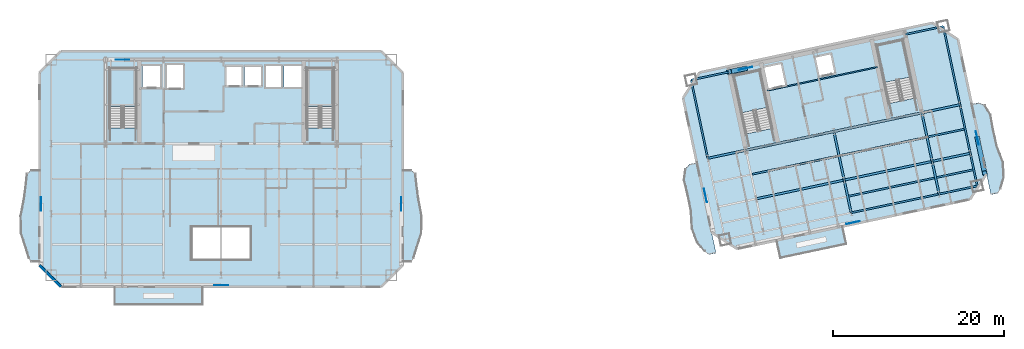
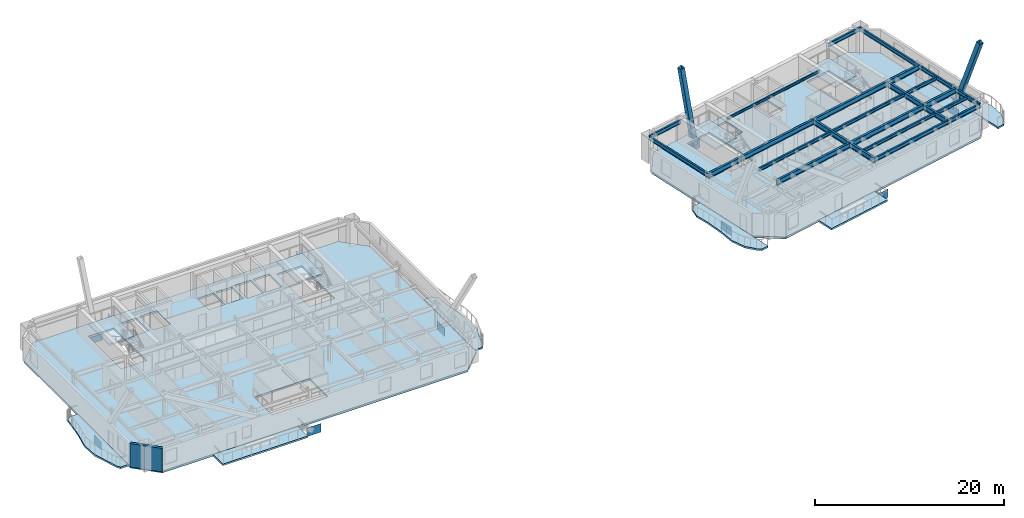
# One storey, part 4 of 13: 25 beams, 12 slabs, 8 plates, 2 members, 1 wall, 4 elements without a shape of their own.
"""IFC4 building model written with IfcOpenShell, lengths in metres."""

from ifc_helpers import new_model, si_unit, direction, frame, frame_2d, origin, origin_2d, place, context, subcontext, project, spatial, polyline, rectangle, hollow_rectangle, i_section, outline, extrude, material, layer, layer_set, material_profile, profile_set, type_object, element, aggregate, save


model = new_model("IFC4")

# Units and contexts
model_context = context("Model", 3, precision=1e-05, world=origin(), true_north=direction((0.0, 1.0)))
body_context = subcontext(model_context, "Body", "Model", "MODEL_VIEW")
ifc_project = project(units=[si_unit("LENGTHUNIT", "METRE"), si_unit("AREAUNIT", "SQUARE_METRE"), si_unit("VOLUMEUNIT", "CUBIC_METRE"), si_unit("PLANEANGLEUNIT", "RADIAN"), si_unit("MASSUNIT", "GRAM", prefix="KILO")], contexts=[model_context])

# Site, building, storey
site_placement = place(None, origin())
site = spatial("IfcSite", under=ifc_project, at=site_placement, CompositionType="ELEMENT")
building_placement = place(site_placement, origin())
building = spatial("IfcBuilding", under=site, at=building_placement, Name="Haevon Station Towers", CompositionType="ELEMENT")
storey_placement = place(building_placement, frame((0.0, 0.0, 146.10009765625)))
storey = spatial("IfcBuildingStorey", under=building, at=storey_placement, Name="L39", CompositionType="ELEMENT", Elevation=146.10009765625)

# Beams
ifc_material_1 = material(Name="Steel S355", Category="steel")
ifc_material_profile_1 = material_profile(ifc_material_1, i_section(OverallWidth=0.25, OverallDepth=0.64990234375, WebThickness=0.012939453125, FlangeThickness=0.02197265625, at=origin_2d()), Name="H-650x250x13x22")
ifc_profile_set_1 = profile_set([ifc_material_profile_1], Name="Steel S355")
beam_type_1 = type_object("IfcBeamType", Name="BM-G650", PredefinedType="BEAM", material=ifc_profile_set_1)
for number, where, z_axis, x_axis, name in (
    (1, (99.958251953125, 31.76904296875, 2.724853515625), (0.978146794194, 0.207915485254, 0.0), (-0.207915485254, 0.978146794194, 0.0), "BM-T2U-L39-02-02"),
    (2, (110.228759765625, 33.9521484375, 2.724853515625), (0.978146794194, 0.207915485254, 0.0), (-0.207915485254, 0.978146794194, 0.0), "BM-T2U-L39-02-03"),
):
    element("IfcBeam", number, at=place(storey_placement, frame(where, z_axis=z_axis, x_axis=x_axis)), inside=storey, type_object=beam_type_1, Name=name, PredefinedType="BEAM", context=body_context, shape_type="SweptSolid", body=[
        extrude(i_section(OverallWidth=0.25, OverallDepth=0.64990234375, WebThickness=0.012939453125, FlangeThickness=0.02197265625, at=origin_2d()), origin(), (0.0, 0.0, 1.0), 10.5),
    ])
for number, where, z_axis, x_axis, name in (
    (3, (120.499267578125, 36.13525390625, 2.724853515625), (0.978146576304, 0.207916510322, 0.0), (-0.207916510322, 0.978146576304, 0.0), "BM-T2U-L39-02-04"),
    (4, (94.3017578125, 36.496337890625, 2.724853515625), (0.978146576304, 0.207916510322, 0.0), (-0.207916510322, 0.978146576304, 0.0), "BM-T2U-L39-03-01"),
):
    element("IfcBeam", number, at=place(storey_placement, frame(where, z_axis=z_axis, x_axis=x_axis)), inside=storey, type_object=beam_type_1, Name=name, PredefinedType="BEAM", context=body_context, shape_type="SweptSolid", body=[
        extrude(i_section(OverallWidth=0.25, OverallDepth=0.64990234375, WebThickness=0.012939453125, FlangeThickness=0.02197265625, at=origin_2d()), origin(), (0.0, 0.0, 1.0), 4.550048828125),
    ])
for number, where, z_axis, x_axis, name in (
    (5, (98.75244140625, 37.4423828125, 2.724853515625), (0.978146794194, 0.207915485254, 0.0), (-0.207915485254, 0.978146794194, 0.0), "BM-T2U-L39-03-02"),
    (6, (109.02294921875, 39.62548828125, 2.724853515625), (0.978146794194, 0.207915485254, 0.0), (-0.207915485254, 0.978146794194, 0.0), "BM-T2U-L39-03-03"),
):
    element("IfcBeam", number, at=place(storey_placement, frame(where, z_axis=z_axis, x_axis=x_axis)), inside=storey, type_object=beam_type_1, Name=name, PredefinedType="BEAM", context=body_context, shape_type="SweptSolid", body=[
        extrude(i_section(OverallWidth=0.25, OverallDepth=0.64990234375, WebThickness=0.012939453125, FlangeThickness=0.02197265625, at=origin_2d()), origin(), (0.0, 0.0, 1.0), 10.5),
    ])
beam_1_placement = place(storey_placement, frame((119.29345703125, 41.80859375, 2.724853515625), z_axis=(0.978146576304, 0.207916510322, 0.0), x_axis=(-0.207916510322, 0.978146576304, 0.0)))
element("IfcBeam", 7, at=beam_1_placement, inside=storey, type_object=beam_type_1, Name="BM-T2U-L39-03-04", PredefinedType="BEAM", context=body_context, shape_type="SweptSolid", body=[
    extrude(i_section(OverallWidth=0.25, OverallDepth=0.64990234375, WebThickness=0.012939453125, FlangeThickness=0.02197265625, at=origin_2d()), origin(), (0.0, 0.0, 1.0), 4.550048828125),
])
beam_2_placement = place(storey_placement, frame((111.03955078125, 30.137451171875, 2.724853515625), z_axis=(-0.207899934746, 0.97815009949, 0.0), x_axis=(-0.97815009949, -0.207899934746, 0.0)))
element("IfcBeam", 8, at=beam_2_placement, inside=storey, type_object=beam_type_1, Name="BM-T2V-L39-03-01", PredefinedType="BEAM", context=body_context, shape_type="SweptSolid", body=[
    extrude(i_section(OverallWidth=0.25, OverallDepth=0.64990234375, WebThickness=0.012939453125, FlangeThickness=0.02197265625, at=origin_2d()), origin(), (0.0, 0.0, 1.0), 3.89990234375),
])
beam_3_placement = place(storey_placement, frame((110.228759765625, 33.9521484375, 2.724853515625), z_axis=(-0.207896009217, 0.97815093383, 0.0), x_axis=(-0.97815093383, -0.207896009217, 0.0)))
element("IfcBeam", 9, at=beam_3_placement, inside=storey, type_object=beam_type_1, Name="BM-T2V-L39-03-02", PredefinedType="BEAM", context=body_context, shape_type="SweptSolid", body=[
    extrude(i_section(OverallWidth=0.25, OverallDepth=0.64990234375, WebThickness=0.012939453125, FlangeThickness=0.02197265625, at=origin_2d()), origin(), (0.0, 0.0, 1.0), 5.800048828125),
])
beam_4_placement = place(storey_placement, frame((121.310302734375, 32.320556640625, 2.724853515625), z_axis=(-0.207959829392, 0.978137367326, 0.0), x_axis=(-0.978137367326, -0.207959829392, 0.0)))
element("IfcBeam", 10, at=beam_4_placement, inside=storey, type_object=beam_type_1, Name="BM-T2V-L39-04-01", PredefinedType="BEAM", context=body_context, shape_type="SweptSolid", body=[
    extrude(i_section(OverallWidth=0.25, OverallDepth=0.64990234375, WebThickness=0.012939453125, FlangeThickness=0.02197265625, at=origin_2d()), origin(), (0.0, 0.0, 1.0), 3.89990234375),
])
beam_5_placement = place(storey_placement, frame((120.499267578125, 36.13525390625, 2.724853515625), z_axis=(-0.207896009217, 0.97815093383, 0.0), x_axis=(-0.97815093383, -0.207896009217, 0.0)))
element("IfcBeam", 11, at=beam_5_placement, inside=storey, type_object=beam_type_1, Name="BM-T2V-L39-04-02", PredefinedType="BEAM", context=body_context, shape_type="SweptSolid", body=[
    extrude(i_section(OverallWidth=0.25, OverallDepth=0.64990234375, WebThickness=0.012939453125, FlangeThickness=0.02197265625, at=origin_2d()), origin(), (0.0, 0.0, 1.0), 5.800048828125),
])
ifc_material_profile_2 = material_profile(ifc_material_1, i_section(OverallWidth=0.199951171875, OverallDepth=0.39990234375, WebThickness=0.008056640625, FlangeThickness=0.012939453125, at=origin_2d()), Name="H-400x200x8x13")
ifc_profile_set_2 = profile_set([ifc_material_profile_2], Name="Steel S355")
beam_type_2 = type_object("IfcBeamType", Name="BM-J400", PredefinedType="JOIST", material=ifc_profile_set_2)
beam_6_placement = place(storey_placement, frame((110.74169921875, 32.067626953125, 2.849853515625), z_axis=(0.978145509903, 0.207921527161, 0.0), x_axis=(-0.207921527161, 0.978145509903, 0.0)))
element("IfcBeam", 12, at=beam_6_placement, inside=storey, type_object=beam_type_2, Name="BM-T2J-L39-01-03", PredefinedType="JOIST", context=body_context, shape_type="SweptSolid", body=[
    extrude(i_section(OverallWidth=0.199951171875, OverallDepth=0.39990234375, WebThickness=0.008056640625, FlangeThickness=0.012939453125, at=origin_2d()), origin(), (0.0, 0.0, 1.0), 10.280029296875),
])
beam_7_placement = place(storey_placement, frame((121.012451171875, 34.250732421875, 2.849853515625), z_axis=(0.978141078405, 0.207942373597, 0.0), x_axis=(-0.207942373597, 0.978141078405, 0.0)))
element("IfcBeam", 13, at=beam_7_placement, inside=storey, type_object=beam_type_2, Name="BM-T2J-L39-01-04", PredefinedType="JOIST", context=body_context, shape_type="SweptSolid", body=[
    extrude(i_section(OverallWidth=0.199951171875, OverallDepth=0.39990234375, WebThickness=0.008056640625, FlangeThickness=0.012939453125, at=origin_2d()), origin(), (0.0, 0.0, 1.0), 4.330078125),
])
for number, where, z_axis, x_axis, name in (
    (14, (99.462890625, 34.628662109375, 2.849853515625), (0.978150339653, 0.207898804801, 0.0), (-0.207898804801, 0.978150339653, 0.0), "BM-T2J-L39-02-02"),
    (15, (109.7333984375, 36.811767578125, 2.849853515625), (0.978150339653, 0.207898804801, 0.0), (-0.207898804801, 0.978150339653, 0.0), "BM-T2J-L39-02-03"),
):
    element("IfcBeam", number, at=place(storey_placement, frame(where, z_axis=z_axis, x_axis=x_axis)), inside=storey, type_object=beam_type_2, Name=name, PredefinedType="JOIST", context=body_context, shape_type="SweptSolid", body=[
        extrude(i_section(OverallWidth=0.199951171875, OverallDepth=0.39990234375, WebThickness=0.008056640625, FlangeThickness=0.012939453125, at=origin_2d()), origin(), (0.0, 0.0, 1.0), 10.280029296875),
    ])
beam_8_placement = place(storey_placement, frame((120.00390625, 38.994873046875, 2.849853515625), z_axis=(0.978152545287, 0.207888427166, 0.0), x_axis=(-0.207888427166, 0.978152545287, 0.0)))
element("IfcBeam", 16, at=beam_8_placement, inside=storey, type_object=beam_type_2, Name="BM-T2J-L39-02-04", PredefinedType="JOIST", context=body_context, shape_type="SweptSolid", body=[
    extrude(i_section(OverallWidth=0.199951171875, OverallDepth=0.39990234375, WebThickness=0.008056640625, FlangeThickness=0.012939453125, at=origin_2d()), origin(), (0.0, 0.0, 1.0), 4.329833984375),
])
ifc_material_profile_3 = material_profile(ifc_material_1, i_section(OverallWidth=0.14990234375, OverallDepth=0.300048828125, WebThickness=0.006591796875, FlangeThickness=0.009033203125, at=origin_2d()), Name="H-300x150x6.5x9")
ifc_profile_set_3 = profile_set([ifc_material_profile_3], Name="Steel S355")
beam_type_3 = type_object("IfcBeamType", Name="BM-LIN300", PredefinedType="LINTEL", material=ifc_profile_set_3)
beam_9_placement = place(storey_placement, frame((101.20849609375, 44.4052734375, 2.89990234375), z_axis=(0.978147802964, 0.207910739399, 0.0), x_axis=(-0.207910739399, 0.978147802964, 0.0)))
element("IfcBeam", 17, at=beam_9_placement, inside=storey, type_object=beam_type_3, Name="BM-T2LIN-L39", PredefinedType="LINTEL", context=body_context, shape_type="SweptSolid", body=[
    extrude(i_section(OverallWidth=0.14990234375, OverallDepth=0.300048828125, WebThickness=0.006591796875, FlangeThickness=0.009033203125, at=origin_2d()), origin(), (0.0, 0.0, 1.0), 13.19970703125),
])
ifc_material_profile_4 = material_profile(ifc_material_1, i_section(OverallWidth=0.199951171875, OverallDepth=0.5, WebThickness=0.010009765625, FlangeThickness=0.01611328125, at=origin_2d()), Name="H-500x200x10x16")
ifc_profile_set_4 = profile_set([ifc_material_profile_4], Name="Steel S355")
beam_type_4 = type_object("IfcBeamType", Name="BM-SP500", PredefinedType="SPANDREL", material=ifc_profile_set_4)
beam_10_placement = place(storey_placement, frame((111.03955078125, 30.137451171875, 2.7998046875), z_axis=(0.978147799298, 0.207910756646, 0.0), x_axis=(-0.207910756646, 0.978147799298, 0.0)))
element("IfcBeam", 18, at=beam_10_placement, inside=storey, type_object=beam_type_4, Name="BM-T2U-L39-01-03", PredefinedType="SPANDREL", context=body_context, shape_type="SweptSolid", body=[
    extrude(i_section(OverallWidth=0.199951171875, OverallDepth=0.5, WebThickness=0.010009765625, FlangeThickness=0.01611328125, at=origin_2d()), origin(), (0.0, 0.0, 1.0), 10.500244140625),
])
for number, where, z_axis, x_axis, name in (
    (19, (121.310302734375, 32.320556640625, 2.7998046875), (0.978144256617, 0.207927423029, 0.0), (-0.207927423029, 0.978144256617, 0.0), "BM-T2U-L39-01-04"),
    (20, (92.35791015625, 45.64208984375, 2.7998046875), (0.978144256617, 0.207927423029, 0.0), (-0.207927423029, 0.978144256617, 0.0), "BM-T2U-L39-04-01"),
):
    element("IfcBeam", number, at=place(storey_placement, frame(where, z_axis=z_axis, x_axis=x_axis)), inside=storey, type_object=beam_type_4, Name=name, PredefinedType="SPANDREL", context=body_context, shape_type="SweptSolid", body=[
        extrude(i_section(OverallWidth=0.199951171875, OverallDepth=0.5, WebThickness=0.010009765625, FlangeThickness=0.01611328125, at=origin_2d()), origin(), (0.0, 0.0, 1.0), 4.5498046875),
    ])
beam_11_placement = place(storey_placement, frame((117.349365234375, 50.954345703125, 2.7998046875), z_axis=(0.978157487225, 0.207865173094, 0.0), x_axis=(-0.207865173094, 0.978157487225, 0.0)))
element("IfcBeam", 21, at=beam_11_placement, inside=storey, type_object=beam_type_4, Name="BM-T2U-L39-04-04", PredefinedType="SPANDREL", context=body_context, shape_type="SweptSolid", body=[
    extrude(i_section(OverallWidth=0.199951171875, OverallDepth=0.5, WebThickness=0.010009765625, FlangeThickness=0.01611328125, at=origin_2d()), origin(), (0.0, 0.0, 1.0), 4.550048828125),
])
beam_12_placement = place(storey_placement, frame((94.3017578125, 36.496337890625, 2.7998046875), z_axis=(-0.207897167074, 0.978150687738, 0.0), x_axis=(-0.978150687738, -0.207897167074, 0.0)))
element("IfcBeam", 22, at=beam_12_placement, inside=storey, type_object=beam_type_4, Name="BM-T2V-L39-01-03", PredefinedType="SPANDREL", context=body_context, shape_type="SweptSolid", body=[
    extrude(i_section(OverallWidth=0.199951171875, OverallDepth=0.5, WebThickness=0.010009765625, FlangeThickness=0.01611328125, at=origin_2d()), origin(), (0.0, 0.0, 1.0), 9.35009765625),
])
beam_13_placement = place(storey_placement, frame((125.7607421875, 33.2666015625, 2.7998046875), z_axis=(-0.207899934746, 0.97815009949, 0.0), x_axis=(-0.97815009949, -0.207899934746, 0.0)))
element("IfcBeam", 23, at=beam_13_placement, inside=storey, type_object=beam_type_4, Name="BM-T2V-L39-05-01", PredefinedType="SPANDREL", context=body_context, shape_type="SweptSolid", body=[
    extrude(i_section(OverallWidth=0.199951171875, OverallDepth=0.5, WebThickness=0.010009765625, FlangeThickness=0.01611328125, at=origin_2d()), origin(), (0.0, 0.0, 1.0), 3.89990234375),
])
beam_14_placement = place(storey_placement, frame((124.949951171875, 37.081298828125, 2.7998046875), z_axis=(-0.207896009217, 0.97815093383, 0.0), x_axis=(-0.97815093383, -0.207896009217, 0.0)))
element("IfcBeam", 24, at=beam_14_placement, inside=storey, type_object=beam_type_4, Name="BM-T2V-L39-05-02", PredefinedType="SPANDREL", context=body_context, shape_type="SweptSolid", body=[
    extrude(i_section(OverallWidth=0.199951171875, OverallDepth=0.5, WebThickness=0.010009765625, FlangeThickness=0.01611328125, at=origin_2d()), origin(), (0.0, 0.0, 1.0), 5.800048828125),
])
beam_15_placement = place(storey_placement, frame((123.744140625, 42.754638671875, 2.7998046875), z_axis=(-0.207927460032, 0.978144248751, 0.0), x_axis=(-0.978144248751, -0.207927460032, 0.0)))
element("IfcBeam", 25, at=beam_15_placement, inside=storey, type_object=beam_type_4, Name="BM-T2V-L39-05-03", PredefinedType="SPANDREL", context=body_context, shape_type="SweptSolid", body=[
    extrude(i_section(OverallWidth=0.199951171875, OverallDepth=0.5, WebThickness=0.010009765625, FlangeThickness=0.01611328125, at=origin_2d()), origin(), (0.0, 0.0, 1.0), 9.349853515625),
])

# Members
ifc_material_2 = material(Name="Steel S460", Category="steel")
ifc_material_profile_5 = material_profile(ifc_material_2, hollow_rectangle(XDim=0.550048828125, YDim=0.550048828125, WallThickness=0.028076171875, at=origin_2d()), Name="RHS-550x550x28")
ifc_profile_set_5 = profile_set([ifc_material_profile_5], Name="Steel S460")
member_type = type_object("IfcMemberType", Name="MB-550", PredefinedType="BRACE", material=ifc_profile_set_5)
member_1_placement = place(storey_placement, frame((98.643310546875, 46.97802734375, -1.05224609375), z_axis=(-0.167363529793, -0.035561409936, 0.98525369069), x_axis=(0.207840077608, -0.978162819852, 0.0)))
element("IfcMember", 26, at=member_1_placement, inside=storey, type_object=member_type, Name="BR-T2MB-T05-N-D2B", PredefinedType="BRACE", context=body_context, shape_type="SweptSolid", body=[
    extrude(hollow_rectangle(XDim=0.550048828125, YDim=0.550048828125, WallThickness=0.028076171875, at=origin_2d()), origin(), (0.0, 0.0, 1.0), 10.9638671875),
])
member_2_placement = place(storey_placement, frame((125.78271484375, 38.7900390625, -1.066650390625), z_axis=(0.073682976964, -0.346569602334, 0.935125836261), x_axis=(0.978137650385, 0.20795849802, 0.0)))
element("IfcMember", 27, at=member_2_placement, inside=storey, type_object=member_type, Name="BR-T2MB-T05-E-D2B", PredefinedType="BRACE", context=body_context, shape_type="SweptSolid", body=[
    extrude(hollow_rectangle(XDim=0.550048828125, YDim=0.550048828125, WallThickness=0.028076171875, at=origin_2d()), origin(), (0.0, 0.0, 1.0), 11.567138671875),
])

# Plates
ifc_material_3 = material(Name="PL-GUS1", Category="steel")
ifc_layer_1 = layer(ifc_material_3, 0.035888671875)
ifc_layer_set_1 = layer_set([ifc_layer_1], Name="PL-GUS1")
plate_type = type_object("IfcPlateType", Name="PL-GUS1", PredefinedType="USERDEFINED", material=ifc_layer_set_1)
for number, where, z_axis, x_axis, name in (
    (28, (37.5, 21.679931640625, -1.88525390625), (0.0, 0.0, 1.0), (1.0, 0.0, 0.0), "PL-T1GUS-T05-S"),
    (29, (25.97509765625, 48.0, -1.88525390625), (0.0, 0.0, 1.0), (1.0, 0.0, 0.0), "PL-T1GUS-T05-N"),
    (30, (16.47998046875, 31.175048828125, -1.88525390625), (0.0, 0.0, 1.0), (0.0, 1.0, 0.0), "PL-T1GUS-T05-W"),
    (31, (58.52001953125, 31.175048828125, -1.88525390625), (0.0, 0.0, 1.0), (0.0, 1.0, 0.0), "PL-T1GUS-T05-E"),
    (32, (111.282958984375, 28.992919921875, -1.88525390625), (0.0, 0.0, 1.0), (0.978147600734, 0.207911690818, 0.0), "PL-T2GUS-T05-S"),
    (33, (98.69140625, 46.98828125, -1.88525390625), (0.0, 0.0, 1.0), (0.978147600734, 0.207911690818, 0.0), "PL-T2GUS-T05-N"),
    (34, (94.030517578125, 32.14501953125, -1.88525390625), (0.0, 0.0, 1.0), (-0.207911690818, 0.978147600734, 0.0), "PL-T2GUS-T05-W"),
    (35, (125.76171875, 38.8896484375, -1.88525390625), (0.0, 0.0, 1.0), (-0.207911690818, 0.978147600734, 0.0), "PL-T2GUS-T05-E"),
):
    element("IfcPlate", number, at=place(storey_placement, frame(where, z_axis=z_axis, x_axis=x_axis)), inside=storey, type_object=plate_type, Name=name, ObjectType="GUSSET_PLATE", PredefinedType="USERDEFINED", context=body_context, shape_type="SweptSolid", body=[
        extrude(rectangle(XDim=1.60009765625, YDim=0.035888671875, at=origin_2d()), origin(), (0.0, 0.0, 1.0), 1.10009765625),
    ])

# Slabs
ifc_material_4 = material(Name="Concrete C40/50", Category="concrete")
ifc_layer_2 = layer(ifc_material_4, 0.219970703125)
ifc_layer_set_2 = layer_set([ifc_layer_2], Name="Concrete C40/50")
slab_type_1 = type_object("IfcSlabType", Name="SL-BALC220", PredefinedType="FLOOR", material=ifc_layer_set_2)
slab_1_placement = place(storey_placement, frame((0.0, 0.0, -0.22021484375)))
element("IfcSlab", 36, at=slab_1_placement, inside=storey, type_object=slab_type_1, Name="Tower 1 L39 West SCALLOPED BALCONY", PredefinedType="FLOOR", context=body_context, shape_type="SweptSolid", body=[
    extrude(outline(polyline([(16.294921875, 35.14990234375), (15.337646484375, 35.14990234375), (14.831787109375, 34.739013671875), (14.70068359375, 33.568359375), (14.459228515625, 31.81640625), (14.015625, 29.75), (14.1162109375, 27.68359375), (14.70068359375, 25.931640625), (15.06201171875, 24.760986328125), (15.337646484375, 24.35009765625), (16.294921875, 24.35009765625), (16.294921875, 35.14990234375)])), origin(), (0.0, 0.0, 1.0), 0.22021484375),
])
slab_2_placement = place(storey_placement, frame((0.0, 0.0, -0.22021484375)))
element("IfcSlab", 37, at=slab_2_placement, inside=storey, type_object=slab_type_1, Name="Tower 1 L39 East SCALLOPED BALCONY", PredefinedType="FLOOR", context=body_context, shape_type="SweptSolid", body=[
    extrude(outline(polyline([(58.705078125, 24.35009765625), (59.662353515625, 24.35009765625), (59.93798828125, 24.760986328125), (60.29931640625, 25.931640625), (60.8837890625, 27.68359375), (60.984375, 29.75), (60.540771484375, 31.81640625), (60.29931640625, 33.568359375), (60.168212890625, 34.739013671875), (59.662353515625, 35.14990234375), (58.705078125, 35.14990234375), (58.705078125, 24.35009765625)])), origin(), (0.0, 0.0, 1.0), 0.22021484375),
])
slab_3_placement = place(storey_placement, frame((0.0, 0.0, -0.22021484375)))
element("IfcSlab", 38, at=slab_3_placement, inside=storey, type_object=slab_type_1, Name="Tower 1 L39 Planted Balcony Band", PredefinedType="FLOOR", context=body_context, shape_type="SweptSolid", body=[
    extrude(outline(polyline([(25.0, 19.39990234375), (35.39990234375, 19.39990234375), (35.39990234375, 21.4951171875), (25.0, 21.4951171875), (25.0, 19.39990234375)])), origin(), (0.0, 0.0, 1.0), 0.22021484375),
])
slab_4_placement = place(storey_placement, frame((0.0, 0.0, -0.22021484375)))
element("IfcSlab", 39, at=slab_4_placement, inside=storey, type_object=slab_type_1, Name="Tower 2 L39 West SCALLOPED BALCONY", PredefinedType="FLOOR", context=body_context, shape_type="SweptSolid", body=[
    extrude(outline(polyline([(93.023193359375, 35.99462890625), (92.191650390625, 35.81787109375), (91.67724609375, 35.288330078125), (91.501220703125, 34.05419921875), (91.920654296875, 32.352294921875), (92.267333984375, 30.313232421875), (92.4443359375, 28.23828125), (93.0888671875, 26.584228515625), (93.977294921875, 25.576416015625), (94.437255859375, 25.25390625), (95.2685546875, 25.4306640625), (93.023193359375, 35.99462890625)])), origin(), (0.0, 0.0, 1.0), 0.22021484375),
])
slab_5_placement = place(storey_placement, frame((0.0, 0.0, -0.22021484375)))
element("IfcSlab", 40, at=slab_5_placement, inside=storey, type_object=slab_type_1, Name="Tower 2 L39 East SCALLOPED BALCONY", PredefinedType="FLOOR", context=body_context, shape_type="SweptSolid", body=[
    extrude(outline(polyline([(127.361572265625, 32.252197265625), (128.193115234375, 32.428955078125), (128.482177734375, 32.91064453125), (128.883544921875, 34.192626953125), (128.7998046875, 35.9658203125), (128.117431640625, 37.93359375), (127.60498046875, 39.937255859375), (127.2958984375, 41.66259765625), (126.633056640625, 42.71826171875), (125.947509765625, 42.992919921875), (125.1162109375, 42.816162109375), (127.361572265625, 32.252197265625)])), origin(), (0.0, 0.0, 1.0), 0.22021484375),
])
slab_6_placement = place(storey_placement, frame((0.0, 0.0, -0.22021484375)))
element("IfcSlab", 41, at=slab_6_placement, inside=storey, type_object=slab_type_1, Name="Tower 2 L39 Planted Balcony Band", PredefinedType="FLOOR", context=body_context, shape_type="SweptSolid", body=[
    extrude(outline(polyline([(102.708984375, 24.839599609375), (110.5341796875, 26.5029296875), (110.0986328125, 28.55224609375), (102.2734375, 26.888916015625), (102.708984375, 24.839599609375)])), origin(), (0.0, 0.0, 1.0), 0.22021484375),
])

# Stair, slab
stair_type = type_object("IfcStairType", Name="STR-DL1450", PredefinedType="USERDEFINED", material=ifc_material_4)
stair_1_placement = place(storey_placement, origin())
stair_1 = element("IfcStair", 42, at=stair_1_placement, inside=storey, type_object=stair_type, Name="L39 Escape Stair ST1", ObjectType="TWO_RETURN_STAIR", PredefinedType="USERDEFINED")
ifc_layer_3 = layer(ifc_material_4, 0.199951171875)
ifc_layer_set_3 = layer_set([ifc_layer_3], Name="Concrete C40/50")
slab_type_2 = type_object("IfcSlabType", Name="SL-LND200", PredefinedType="LANDING", material=ifc_layer_set_3)
slab_7_placement = place(storey_placement, frame((0.0, 0.0, 1.449951171875)))
slab_7 = element("IfcSlab", 43, at=slab_7_placement, type_object=slab_type_2, Name="L39 ST1 Half Landing 1", PredefinedType="LANDING", context=body_context, shape_type="SweptSolid", body=[
    extrude(outline(polyline([(27.580078125, 42.56396484375), (27.580078125, 47.0), (24.47998046875, 47.0), (24.47998046875, 42.56396484375), (27.580078125, 42.56396484375)])), origin(), (0.0, 0.0, 1.0), 0.199951171875),
])
aggregate(stair_1, [slab_7])

stair_2_placement = place(storey_placement, origin())
stair_2 = element("IfcStair", 44, at=stair_2_placement, inside=storey, type_object=stair_type, Name="L39 Escape Stair ST2", ObjectType="TWO_RETURN_STAIR", PredefinedType="USERDEFINED")
slab_8_placement = place(storey_placement, frame((0.0, 0.0, 1.449951171875)))
slab_8 = element("IfcSlab", 45, at=slab_8_placement, type_object=slab_type_2, Name="L39 ST2 Half Landing 1", PredefinedType="LANDING", context=body_context, shape_type="SweptSolid", body=[
    extrude(outline(polyline([(50.6201171875, 42.56396484375), (50.6201171875, 47.0), (47.52001953125, 47.0), (47.52001953125, 42.56396484375), (50.6201171875, 42.56396484375)])), origin(), (0.0, 0.0, 1.0), 0.199951171875),
])
aggregate(stair_2, [slab_8])

stair_3_placement = place(storey_placement, origin())
stair_3 = element("IfcStair", 46, at=stair_3_placement, inside=storey, type_object=stair_type, Name="L39 Escape Stair ST3", ObjectType="TWO_RETURN_STAIR", PredefinedType="USERDEFINED")
slab_9_placement = place(storey_placement, frame((0.0, 0.0, 1.449951171875)))
slab_9 = element("IfcSlab", 47, at=slab_9_placement, type_object=slab_type_2, Name="L39 ST3 Half Landing 1", PredefinedType="LANDING", context=body_context, shape_type="SweptSolid", body=[
    extrude(outline(polyline([(101.2880859375, 42.44287109375), (100.36572265625, 46.781982421875), (97.33349609375, 46.137451171875), (98.255859375, 41.79833984375), (101.2880859375, 42.44287109375)])), origin(), (0.0, 0.0, 1.0), 0.199951171875),
])
aggregate(stair_3, [slab_9])

stair_4_placement = place(storey_placement, origin())
stair_4 = element("IfcStair", 48, at=stair_4_placement, inside=storey, type_object=stair_type, Name="L39 Escape Stair ST4", ObjectType="TWO_RETURN_STAIR", PredefinedType="USERDEFINED")
slab_10_placement = place(storey_placement, frame((0.0, 0.0, 1.449951171875)))
slab_10 = element("IfcSlab", 49, at=slab_10_placement, type_object=slab_type_2, Name="L39 ST4 Half Landing 1", PredefinedType="LANDING", context=body_context, shape_type="SweptSolid", body=[
    extrude(outline(polyline([(117.975341796875, 45.989990234375), (117.052978515625, 50.328857421875), (114.020751953125, 49.684326171875), (114.943115234375, 45.345458984375), (117.975341796875, 45.989990234375)])), origin(), (0.0, 0.0, 1.0), 0.199951171875),
])
aggregate(stair_4, [slab_10])

# Slabs
ifc_layer_4 = layer(ifc_material_4, 0.25)
ifc_layer_set_4 = layer_set([ifc_layer_4], Name="Concrete C40/50")
slab_type_3 = type_object("IfcSlabType", Name="SL-TW250", PredefinedType="FLOOR", material=ifc_layer_set_4)
slab_11_placement = place(storey_placement, frame((0.0, 0.0, -0.25)))
element("IfcSlab", 50, at=slab_11_placement, inside=storey, type_object=slab_type_3, Name="SL-T1-L39", PredefinedType="FLOOR", context=body_context, shape_type="SweptSolid", body=[
    extrude(outline(polyline([(18.800048828125, 21.5), (56.199951171875, 21.5), (58.699951171875, 24.0), (58.699951171875, 46.5), (56.199951171875, 49.0), (18.800048828125, 49.0), (16.300048828125, 46.5), (16.300048828125, 24.0), (18.800048828125, 21.5)]), holes=[polyline([(27.580078125, 40.055908203125), (27.580078125, 47.0), (24.47998046875, 47.0), (24.47998046875, 40.055908203125), (27.580078125, 40.055908203125)]), polyline([(50.6201171875, 40.055908203125), (50.6201171875, 47.0), (47.52001953125, 47.0), (47.52001953125, 40.055908203125), (50.6201171875, 40.055908203125)]), polyline([(28.300048828125, 44.699951171875), (30.5, 44.699951171875), (30.5, 47.39990234375), (28.300048828125, 47.39990234375), (28.300048828125, 44.699951171875)]), polyline([(31.050048828125, 44.60009765625), (33.14990234375, 44.60009765625), (33.14990234375, 47.5), (31.050048828125, 47.5), (31.050048828125, 44.60009765625)]), polyline([(38.0, 44.89990234375), (40.0, 44.89990234375), (40.0, 47.300048828125), (38.0, 47.300048828125), (38.0, 44.89990234375)]), polyline([(40.25, 44.89990234375), (42.25, 44.89990234375), (42.25, 47.300048828125), (40.25, 47.300048828125), (40.25, 44.89990234375)]), polyline([(42.60009765625, 44.699951171875), (44.60009765625, 44.699951171875), (44.60009765625, 47.39990234375), (42.60009765625, 47.39990234375), (42.60009765625, 44.699951171875)]), polyline([(44.85009765625, 44.699951171875), (46.85009765625, 44.699951171875), (46.85009765625, 47.39990234375), (44.85009765625, 47.39990234375), (44.85009765625, 44.699951171875)]), polyline([(34.10009765625, 24.699951171875), (40.89990234375, 24.699951171875), (40.89990234375, 28.5), (34.10009765625, 28.5), (34.10009765625, 24.699951171875)])]), origin(), (0.0, 0.0, 1.0), 0.25),
])
slab_12_placement = place(storey_placement, frame((0.0, 0.0, -0.25)))
element("IfcSlab", 51, at=slab_12_placement, inside=storey, type_object=slab_type_3, Name="SL-T2-L39", PredefinedType="FLOOR", context=body_context, shape_type="SweptSolid", body=[
    extrude(outline(polyline([(97.72412109375, 25.927001953125), (124.91650390625, 31.70703125), (126.84228515625, 34.672119140625), (123.505126953125, 50.371337890625), (120.5400390625, 52.296875), (93.347412109375, 46.51708984375), (91.421875, 43.5517578125), (94.759033203125, 27.8525390625), (97.72412109375, 25.927001953125)]), holes=[polyline([(101.8095703125, 39.98974609375), (100.36572265625, 46.781982421875), (97.33349609375, 46.137451171875), (98.77734375, 39.34521484375), (101.8095703125, 39.98974609375)]), polyline([(118.496826171875, 43.53662109375), (117.052978515625, 50.328857421875), (114.020751953125, 49.684326171875), (115.464599609375, 42.89208984375), (118.496826171875, 43.53662109375)]), polyline([(101.43212890625, 44.554931640625), (103.486328125, 44.99169921875), (102.9248046875, 47.632568359375), (100.870849609375, 47.196044921875), (101.43212890625, 44.554931640625)]), polyline([(107.259521484375, 45.998046875), (109.2158203125, 46.413818359375), (108.716796875, 48.761474609375), (106.760498046875, 48.345703125), (107.259521484375, 45.998046875)])]), origin(), (0.0, 0.0, 1.0), 0.25),
])

# Wall
ifc_material_5 = material(Name="Precast concrete C45/55", Category="concrete")
ifc_layer_5 = layer(ifc_material_5, 0.300048828125)
ifc_layer_set_5 = layer_set([ifc_layer_5], Name="Precast concrete C45/55")
wall_type = type_object("IfcWallType", Name="WL-EXT-PIER300", PredefinedType="SOLIDWALL", material=ifc_layer_set_5)
wall_placement = place(storey_placement, frame((18.800048828125, 21.5, 0.0), z_axis=(0.0, 0.0, 1.0), x_axis=(-0.707106781187, 0.707106781187, 0.0)))
element("IfcWall", 52, at=wall_placement, inside=storey, type_object=wall_type, Name="WL-T1-L39-SWC", PredefinedType="SOLIDWALL", context=body_context, shape_type="SweptSolid", body=[
    extrude(rectangle(XDim=3.53564453125, YDim=0.300048828125, at=frame_2d((1.767822265625, 0.0))), origin(), (0.0, 0.0, 1.0), 3.02978515625),
])

save(model, "model.ifc")
